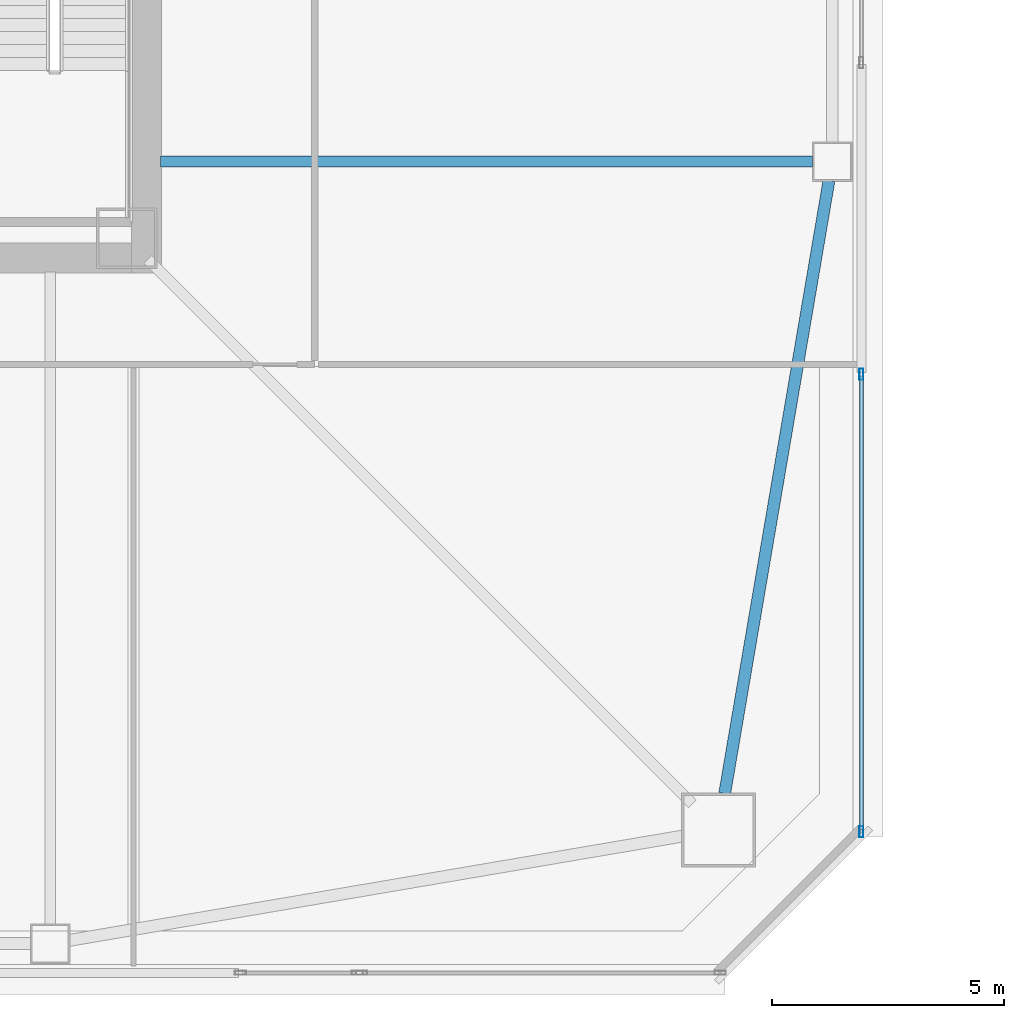
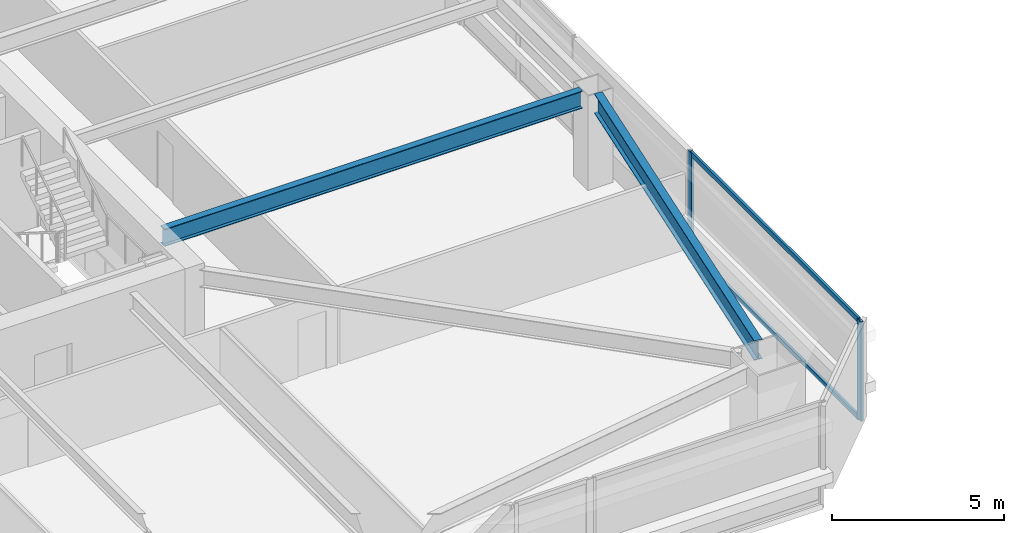
# One storey, part 9 of 46: 4 members, 2 beams, 1 element without a shape of its own.
"""IFC4 building model written with IfcOpenShell, lengths in metres."""

from ifc_helpers import new_model, si_unit, direction, frame, origin, origin_2d, place, context, subcontext, project, spatial, hollow_rectangle, i_section, extrude, material, material_profile, profile_set, type_object, element, aggregate, save


model = new_model("IFC4")

# Units and contexts
model_context = context("Model", 3, precision=1e-05, world=origin(), true_north=direction((0.0, 1.0)))
body_context = subcontext(model_context, "Body", "Model", "MODEL_VIEW")
ifc_project = project(units=[si_unit("LENGTHUNIT", "METRE"), si_unit("AREAUNIT", "SQUARE_METRE"), si_unit("VOLUMEUNIT", "CUBIC_METRE"), si_unit("PLANEANGLEUNIT", "RADIAN"), si_unit("MASSUNIT", "GRAM", prefix="KILO")], contexts=[model_context])

# Site, building, storey
site_placement = place(None, origin())
site = spatial("IfcSite", under=ifc_project, at=site_placement, CompositionType="ELEMENT")
building_placement = place(site_placement, origin())
building = spatial("IfcBuilding", under=site, at=building_placement, Name="Tashvorn Skyway Center", CompositionType="ELEMENT")
storey_placement = place(building_placement, frame((0.0, 0.0, 38.800048828125)))
storey = spatial("IfcBuildingStorey", under=building, at=storey_placement, Name="L09", CompositionType="ELEMENT", Elevation=38.800048828125)

# Beams
ifc_material_1 = material(Name="Steel ASTM A992 Grade 50", Category="steel")
ifc_material_profile_1 = material_profile(ifc_material_1, i_section(OverallWidth=0.22998046875, OverallDepth=0.616943359375, WebThickness=0.01318359375, FlangeThickness=0.022216796875, at=origin_2d()), Name="W24X94")
ifc_profile_set_1 = profile_set([ifc_material_profile_1], Name="Steel ASTM A992 Grade 50")
beam_type_1 = type_object("IfcBeamType", Name="BM-BEAM-W24X94", PredefinedType="BEAM", material=ifc_profile_set_1)
beam_1_placement = place(storey_placement, frame((63.830078125, 26.60009765625, 3.04150390625), z_axis=(-1.0, 0.0, 0.0), x_axis=(0.0, -1.0, 0.0)))
element("IfcBeam", 1, at=beam_1_placement, inside=storey, type_object=beam_type_1, Name="Tower 1 L09 Primary Floor Girder FC-E1", PredefinedType="BEAM", context=body_context, shape_type="SweptSolid", body=[
    extrude(i_section(OverallWidth=0.22998046875, OverallDepth=0.616943359375, WebThickness=0.01318359375, FlangeThickness=0.022216796875, at=origin_2d()), origin(), (0.0, 0.0, 1.0), 14.050048828125),
])
ifc_material_profile_2 = material_profile(ifc_material_1, i_section(OverallWidth=0.256103515625, OverallDepth=0.693115234375, WebThickness=0.014404296875, FlangeThickness=0.023681640625, at=origin_2d()), Name="W27X114")
ifc_profile_set_2 = profile_set([ifc_material_profile_2], Name="Steel ASTM A992 Grade 50")
beam_type_2 = type_object("IfcBeamType", Name="BM-SPANDREL-W27X114", PredefinedType="SPANDREL", material=ifc_profile_set_2)
beam_2_placement = place(storey_placement, frame((61.933349609375, 12.983642578125, 3.00341796875), z_axis=(0.16771792509, 0.985835025551, 0.0), x_axis=(-0.985835025551, 0.16771792509, 0.0)))
element("IfcBeam", 2, at=beam_2_placement, inside=storey, type_object=beam_type_2, Name="Tower 1 L09 Spandrel Beam 04", PredefinedType="SPANDREL", context=body_context, shape_type="SweptSolid", body=[
    extrude(i_section(OverallWidth=0.256103515625, OverallDepth=0.693115234375, WebThickness=0.014404296875, FlangeThickness=0.023681640625, at=origin_2d()), origin(), (0.0, 0.0, 1.0), 13.39208984375),
])

# Curtain wall, members
ifc_material_2 = material(Name="Thermally broken bronze-anodized aluminium 6063-T6", Category="aluminium")
curtain_wall_type = type_object("IfcCurtainWallType", Name="CW-CW-Z1", PredefinedType="NOTDEFINED", material=ifc_material_2)
curtain_wall_placement = place(storey_placement, origin())
curtain_wall = element("IfcCurtainWall", 3, at=curtain_wall_placement, inside=storey, type_object=curtain_wall_type, Name="Tower 1 L09 East Unitised Curtain Wall Glazing Group 3", PredefinedType="NOTDEFINED")
ifc_material_profile_3 = material_profile(ifc_material_2, hollow_rectangle(XDim=0.0849609375, YDim=0.239990234375, WallThickness=0.0048828125, at=origin_2d()), Name="ALU-MULL-85x240")
ifc_profile_set_3 = profile_set([ifc_material_profile_3], Name="Thermally broken bronze-anodized aluminium 6063-T6")
member_type_1 = type_object("IfcMemberType", Name="CWM-CW-Z1", PredefinedType="MULLION", material=ifc_profile_set_3)
member_1_placement = place(storey_placement, frame((64.8798828125, 22.017578125, 0.0), z_axis=(0.0, 0.0, 1.0), x_axis=(1.0, 0.0, 0.0)))
member_1 = element("IfcMember", 4, at=member_1_placement, type_object=member_type_1, Name="CW-Z1 mullion 1", PredefinedType="MULLION", context=body_context, shape_type="SweptSolid", body=[
    extrude(hollow_rectangle(XDim=0.0849609375, YDim=0.239990234375, WallThickness=0.0048828125, at=origin_2d()), origin(), (0.0, 0.0, 1.0), 3.550048828125),
])
member_2_placement = place(storey_placement, frame((64.8798828125, 12.16259765625, 0.0), z_axis=(0.0, 0.0, 1.0), x_axis=(1.0, 0.0, 0.0)))
member_2 = element("IfcMember", 5, at=member_2_placement, type_object=member_type_1, Name="CW-Z1 mullion 2", PredefinedType="MULLION", context=body_context, shape_type="SweptSolid", body=[
    extrude(hollow_rectangle(XDim=0.0849609375, YDim=0.239990234375, WallThickness=0.0048828125, at=origin_2d()), origin(), (0.0, 0.0, 1.0), 3.550048828125),
])
ifc_material_profile_4 = material_profile(ifc_material_2, hollow_rectangle(XDim=0.0849609375, YDim=0.1650390625, WallThickness=0.0048828125, at=origin_2d()), Name="ALU-TRAN-85x165")
ifc_profile_set_4 = profile_set([ifc_material_profile_4], Name="Thermally broken bronze-anodized aluminium 6063-T6")
member_type_2 = type_object("IfcMemberType", Name="CWT-CW-Z1", PredefinedType="USERDEFINED", material=ifc_profile_set_4)
member_3_placement = place(storey_placement, frame((64.8798828125, 21.97509765625, 0.04248046875), z_axis=(0.0, -1.0, 0.0), x_axis=(1.0, 0.0, 0.0)))
member_3 = element("IfcMember", 6, at=member_3_placement, type_object=member_type_2, Name="CW-Z1 transom 1.1", ObjectType="TRANSOM", PredefinedType="USERDEFINED", context=body_context, shape_type="SweptSolid", body=[
    extrude(hollow_rectangle(XDim=0.0849609375, YDim=0.1650390625, WallThickness=0.0048828125, at=origin_2d()), origin(), (0.0, 0.0, 1.0), 9.77001953125),
])
member_4_placement = place(storey_placement, frame((64.8798828125, 21.97509765625, 3.507568359375), z_axis=(0.0, -1.0, 0.0), x_axis=(1.0, 0.0, 0.0)))
member_4 = element("IfcMember", 7, at=member_4_placement, type_object=member_type_2, Name="CW-Z1 transom 1.2", ObjectType="TRANSOM", PredefinedType="USERDEFINED", context=body_context, shape_type="SweptSolid", body=[
    extrude(hollow_rectangle(XDim=0.0849609375, YDim=0.1650390625, WallThickness=0.0048828125, at=origin_2d()), origin(), (0.0, 0.0, 1.0), 9.77001953125),
])
aggregate(curtain_wall, [member_1, member_2, member_3, member_4])

save(model, "model.ifc")
